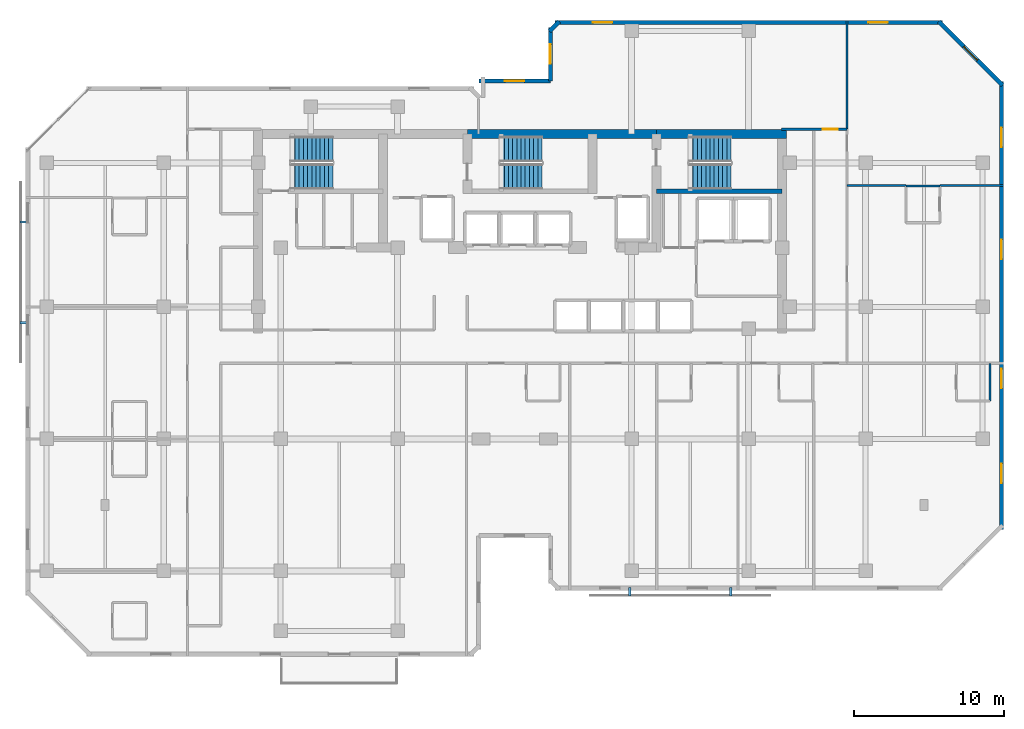
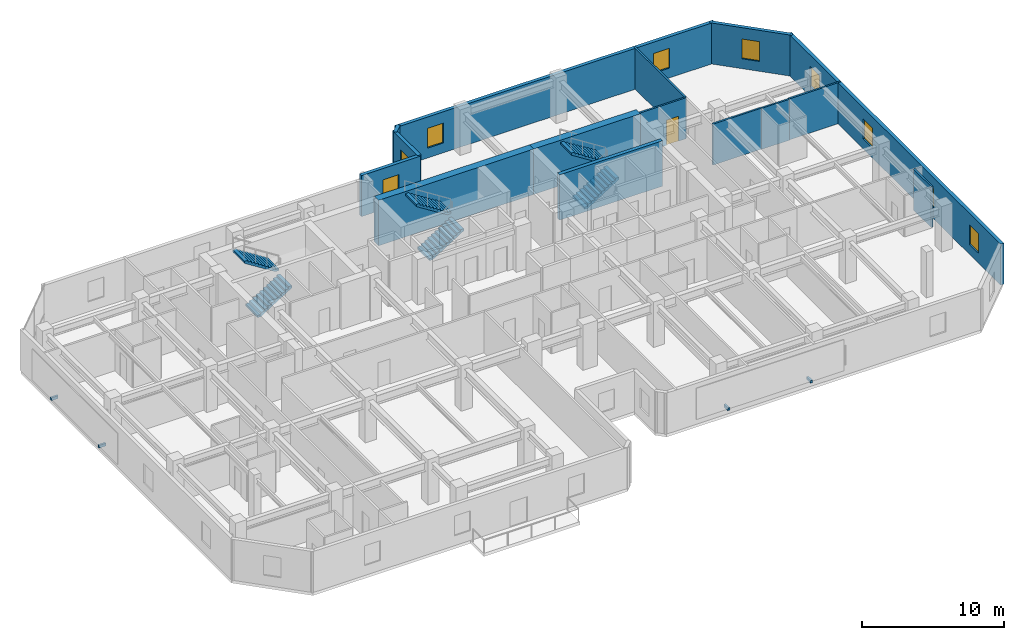
# One storey, part 8 of 10: 15 walls, 9 windows, 6 stair flights, 4 discrete accessories, 1 door, 10 openings, 3 elements without a shape of their own.
"""IFC4 building model written with IfcOpenShell, lengths in metres."""

from ifc_helpers import new_model, si_unit, direction, frame, frame_2d, origin, origin_2d, place, context, subcontext, project, spatial, polyline, rectangle, outline, extrude, material, layer, layer_set, type_object, element, fill, aggregate, save


model = new_model("IFC4")

# Units and contexts
model_context = context("Model", 3, precision=1e-05, world=origin(), true_north=direction((0.0, 1.0)))
body_context = subcontext(model_context, "Body", "Model", "MODEL_VIEW")
ifc_project = project(units=[si_unit("LENGTHUNIT", "METRE"), si_unit("AREAUNIT", "SQUARE_METRE"), si_unit("VOLUMEUNIT", "CUBIC_METRE"), si_unit("PLANEANGLEUNIT", "RADIAN"), si_unit("MASSUNIT", "GRAM", prefix="KILO")], contexts=[model_context])

# Site, building, storey
site_placement = place(None, origin())
site = spatial("IfcSite", under=ifc_project, at=site_placement, CompositionType="ELEMENT")
building_placement = place(site_placement, origin())
building = spatial("IfcBuilding", under=site, at=building_placement, Name="Kestravale Grand Hotel", CompositionType="ELEMENT")
storey_placement = place(building_placement, frame((0.0, 0.0, 236.5)))
storey = spatial("IfcBuildingStorey", under=building, at=storey_placement, Name="L59", CompositionType="ELEMENT", Elevation=236.5)

# Walls
ifc_material_1 = material(Name="Concrete f'c 50 MPa", Category="concrete")
ifc_layer_1 = layer(ifc_material_1, 0.60009765625)
ifc_layer_set_1 = layer_set([ifc_layer_1], Name="EW-CORE-600")
wall_type_1 = type_object("IfcWallType", Name="EW-CORE-600", PredefinedType="SHEAR", material=ifc_layer_set_1)
wall_1_placement = place(storey_placement, frame((35.85009765625, 40.320068359375, 0.0), z_axis=(0.0, 0.0, 1.0), x_axis=(1.0, 0.0, 0.0)))
element("IfcWall", 1, at=wall_1_placement, inside=storey, type_object=wall_type_1, Name="L59 core shear wall N2", PredefinedType="SHEAR", context=body_context, shape_type="SweptSolid", body=[
    extrude(rectangle(XDim=12.599853515625, YDim=0.60009765625, at=frame_2d((6.2998046875, 0.0))), origin(), (0.0, 0.0, 1.0), 3.89990234375),
])
wall_2_placement = place(storey_placement, frame((48.449951171875, 40.320068359375, 0.0), z_axis=(0.0, 0.0, 1.0), x_axis=(1.0, 0.0, 0.0)))
element("IfcWall", 2, at=wall_2_placement, inside=storey, type_object=wall_type_1, Name="L59 core shear wall N3", PredefinedType="SHEAR", context=body_context, shape_type="SweptSolid", body=[
    extrude(rectangle(XDim=8.670166015625, YDim=0.60009765625, at=frame_2d((4.3349609375, 0.0))), origin(), (0.0, 0.0, 1.0), 3.89990234375),
])

# Wall, openings, windows
ifc_material_2 = material(Name="Precast concrete f'c 45 MPa", Category="concrete")
ifc_layer_2 = layer(ifc_material_2, 0.280029296875)
ifc_layer_set_2 = layer_set([ifc_layer_2], Name="EW-PREC-280")
wall_type_2 = type_object("IfcWallType", Name="EW-PREC-280", PredefinedType="SOLIDWALL", material=ifc_layer_set_2)
wall_3_placement = place(storey_placement, frame((71.4599609375, 13.9599609375, 0.0), z_axis=(0.0, 0.0, 1.0), x_axis=(0.0, 1.0, 0.0)))
wall_3 = element("IfcWall", 3, at=wall_3_placement, inside=storey, type_object=wall_type_2, Name="L59 fluted precast facade wall 9", PredefinedType="SOLIDWALL", context=body_context, shape_type="SweptSolid", body=[
    extrude(rectangle(XDim=29.880126953125, YDim=0.280029296875, at=frame_2d((14.93994140625, 0.0))), origin(), (0.0, 0.0, 1.0), 3.52001953125),
])
opening_1_placement = place(wall_3_placement, frame((3.0849609375, 0.0, 0.85009765625)))
opening_1 = element("IfcOpeningElement", 4, at=opening_1_placement, cuts=wall_3, Name="Opening W-GUEST-1300", PredefinedType="OPENING", context=body_context, shape_type="SweptSolid", body=[
    extrude(rectangle(XDim=1.300048828125, YDim=1.699951171875, at=frame_2d((0.64990234375, 0.85009765625))), frame((0.0, 0.14990234375, 0.0), z_axis=(0.0, -1.0, 0.0), x_axis=(1.0, 0.0, 0.0)), (0.0, 0.0, 1.0), 0.300048828125),
])
opening_2_placement = place(wall_3_placement, frame((9.405029296875, 0.0, 0.85009765625)))
opening_2 = element("IfcOpeningElement", 5, at=opening_2_placement, cuts=wall_3, Name="Opening W-GUEST-1300", PredefinedType="OPENING", context=body_context, shape_type="SweptSolid", body=[
    extrude(rectangle(XDim=1.300048828125, YDim=1.699951171875, at=frame_2d((0.64990234375, 0.85009765625))), frame((0.0, 0.14990234375, 0.0), z_axis=(0.0, -1.0, 0.0), x_axis=(1.0, 0.0, 0.0)), (0.0, 0.0, 1.0), 0.300048828125),
])
opening_3_placement = place(wall_3_placement, frame((18.02490234375, 0.0, 0.85009765625)))
opening_3 = element("IfcOpeningElement", 6, at=opening_3_placement, cuts=wall_3, Name="Opening W-GUEST-1300", PredefinedType="OPENING", context=body_context, shape_type="SweptSolid", body=[
    extrude(rectangle(XDim=1.300048828125, YDim=1.699951171875, at=frame_2d((0.64990234375, 0.85009765625))), frame((0.0, 0.14990234375, 0.0), z_axis=(0.0, -1.0, 0.0), x_axis=(1.0, 0.0, 0.0)), (0.0, 0.0, 1.0), 0.300048828125),
])
opening_4_placement = place(wall_3_placement, frame((25.4951171875, 0.0, 0.85009765625)))
opening_4 = element("IfcOpeningElement", 7, at=opening_4_placement, cuts=wall_3, Name="Opening W-GUEST-1300", PredefinedType="OPENING", context=body_context, shape_type="SweptSolid", body=[
    extrude(rectangle(XDim=1.300048828125, YDim=1.699951171875, at=frame_2d((0.64990234375, 0.85009765625))), frame((0.0, 0.14990234375, 0.0), z_axis=(0.0, -1.0, 0.0), x_axis=(1.0, 0.0, 0.0)), (0.0, 0.0, 1.0), 0.300048828125),
])
ifc_material_3 = material(Name="Insulated low-E double glazing in aluminium frame", Category="aluminium")
window_type = type_object("IfcWindowType", Name="W-GUEST-1300", PartitioningType="SINGLE_PANEL", PredefinedType="WINDOW", material=ifc_material_3)
window_1_placement = place(opening_1_placement, origin())
window_1 = element("IfcWindow", 8, at=window_1_placement, inside=storey, type_object=window_type, Name="L59 exterior window 9.1", OverallHeight=1.699951171875, OverallWidth=1.300048828125, PartitioningType="SINGLE_PANEL", PredefinedType="WINDOW", context=body_context, shape_type="SweptSolid", body=[
    extrude(rectangle(XDim=1.300048828125, YDim=1.699951171875, at=frame_2d((0.64990234375, 0.85009765625))), frame((0.0, 0.030029296875, 0.0), z_axis=(0.0, -1.0, 0.0), x_axis=(1.0, 0.0, 0.0)), (0.0, 0.0, 1.0), 0.06005859375),
])
fill(opening_1, window_1)
window_2_placement = place(opening_2_placement, origin())
window_2 = element("IfcWindow", 9, at=window_2_placement, inside=storey, type_object=window_type, Name="L59 exterior window 9.2", OverallHeight=1.699951171875, OverallWidth=1.300048828125, PartitioningType="SINGLE_PANEL", PredefinedType="WINDOW", context=body_context, shape_type="SweptSolid", body=[
    extrude(rectangle(XDim=1.300048828125, YDim=1.699951171875, at=frame_2d((0.64990234375, 0.85009765625))), frame((0.0, 0.030029296875, 0.0), z_axis=(0.0, -1.0, 0.0), x_axis=(1.0, 0.0, 0.0)), (0.0, 0.0, 1.0), 0.06005859375),
])
fill(opening_2, window_2)
window_3_placement = place(opening_3_placement, origin())
window_3 = element("IfcWindow", 10, at=window_3_placement, inside=storey, type_object=window_type, Name="L59 exterior window 9.3", OverallHeight=1.699951171875, OverallWidth=1.300048828125, PartitioningType="SINGLE_PANEL", PredefinedType="WINDOW", context=body_context, shape_type="SweptSolid", body=[
    extrude(rectangle(XDim=1.300048828125, YDim=1.699951171875, at=frame_2d((0.64990234375, 0.85009765625))), frame((0.0, 0.030029296875, 0.0), z_axis=(0.0, -1.0, 0.0), x_axis=(1.0, 0.0, 0.0)), (0.0, 0.0, 1.0), 0.06005859375),
])
fill(opening_3, window_3)
window_4_placement = place(opening_4_placement, origin())
window_4 = element("IfcWindow", 11, at=window_4_placement, inside=storey, type_object=window_type, Name="L59 exterior window 9.4", OverallHeight=1.699951171875, OverallWidth=1.300048828125, PartitioningType="SINGLE_PANEL", PredefinedType="WINDOW", context=body_context, shape_type="SweptSolid", body=[
    extrude(rectangle(XDim=1.300048828125, YDim=1.699951171875, at=frame_2d((0.64990234375, 0.85009765625))), frame((0.0, 0.030029296875, 0.0), z_axis=(0.0, -1.0, 0.0), x_axis=(1.0, 0.0, 0.0)), (0.0, 0.0, 1.0), 0.06005859375),
])
fill(opening_4, window_4)

# Wall, opening, window
wall_4_placement = place(storey_placement, frame((71.529296875, 43.57275390625, 0.0), z_axis=(0.0, 0.0, 1.0), x_axis=(-0.707106781187, 0.707106781187, 0.0)))
wall_4 = element("IfcWall", 12, at=wall_4_placement, inside=storey, type_object=wall_type_2, Name="L59 fluted precast facade wall 10", PredefinedType="SOLIDWALL", context=body_context, shape_type="SweptSolid", body=[
    extrude(rectangle(XDim=6.019775390625, YDim=0.280029296875, at=frame_2d((3.009765625, 0.0))), origin(), (0.0, 0.0, 1.0), 3.52001953125),
])
opening_5_placement = place(wall_4_placement, frame((2.35986328125, 0.0, 0.85009765625)))
opening_5 = element("IfcOpeningElement", 13, at=opening_5_placement, cuts=wall_4, Name="Opening W-GUEST-1300", PredefinedType="OPENING", context=body_context, shape_type="SweptSolid", body=[
    extrude(rectangle(XDim=1.300048828125, YDim=1.699951171875, at=frame_2d((0.64990234375, 0.85009765625))), frame((0.0, 0.14990234375, 0.0), z_axis=(0.0, -1.0, 0.0), x_axis=(1.0, 0.0, 0.0)), (0.0, 0.0, 1.0), 0.300048828125),
])
window_5_placement = place(opening_5_placement, origin())
window_5 = element("IfcWindow", 14, at=window_5_placement, inside=storey, type_object=window_type, Name="L59 exterior window 10.1", OverallHeight=1.699951171875, OverallWidth=1.300048828125, PartitioningType="SINGLE_PANEL", PredefinedType="WINDOW", context=body_context, shape_type="SweptSolid", body=[
    extrude(rectangle(XDim=1.300048828125, YDim=1.699951171875, at=frame_2d((0.64990234375, 0.85009765625))), frame((0.0, 0.030029296875, 0.0), z_axis=(0.0, -1.0, 0.0), x_axis=(1.0, 0.0, 0.0)), (0.0, 0.0, 1.0), 0.06005859375),
])
fill(opening_5, window_5)

# Wall, openings, windows
wall_5_placement = place(storey_placement, frame((67.5400390625, 47.760009765625, 0.0), z_axis=(0.0, 0.0, 1.0), x_axis=(-1.0, 0.0, 0.0)))
wall_5 = element("IfcWall", 15, at=wall_5_placement, inside=storey, type_object=wall_type_2, Name="L59 fluted precast facade wall 11", PredefinedType="SOLIDWALL", context=body_context, shape_type="SweptSolid", body=[
    extrude(rectangle(XDim=25.830078125, YDim=0.280029296875, at=frame_2d((12.9150390625, 0.0))), origin(), (0.0, 0.0, 1.0), 3.52001953125),
])
opening_6_placement = place(wall_5_placement, frame((3.655029296875, 0.0, 0.85009765625)))
opening_6 = element("IfcOpeningElement", 16, at=opening_6_placement, cuts=wall_5, Name="Opening W-GUEST-1300", PredefinedType="OPENING", context=body_context, shape_type="SweptSolid", body=[
    extrude(rectangle(XDim=1.300048828125, YDim=1.699951171875, at=frame_2d((0.64990234375, 0.85009765625))), frame((0.0, 0.14990234375, 0.0), z_axis=(0.0, -1.0, 0.0), x_axis=(1.0, 0.0, 0.0)), (0.0, 0.0, 1.0), 0.300048828125),
])
opening_7_placement = place(wall_5_placement, frame((22.02490234375, 0.0, 0.85009765625)))
opening_7 = element("IfcOpeningElement", 17, at=opening_7_placement, cuts=wall_5, Name="Opening W-GUEST-1300", PredefinedType="OPENING", context=body_context, shape_type="SweptSolid", body=[
    extrude(rectangle(XDim=1.300048828125, YDim=1.699951171875, at=frame_2d((0.64990234375, 0.85009765625))), frame((0.0, 0.14990234375, 0.0), z_axis=(0.0, -1.0, 0.0), x_axis=(1.0, 0.0, 0.0)), (0.0, 0.0, 1.0), 0.300048828125),
])
window_6_placement = place(opening_6_placement, origin())
window_6 = element("IfcWindow", 18, at=window_6_placement, inside=storey, type_object=window_type, Name="L59 exterior window 11.1", OverallHeight=1.699951171875, OverallWidth=1.300048828125, PartitioningType="SINGLE_PANEL", PredefinedType="WINDOW", context=body_context, shape_type="SweptSolid", body=[
    extrude(rectangle(XDim=1.300048828125, YDim=1.699951171875, at=frame_2d((0.64990234375, 0.85009765625))), frame((0.0, 0.030029296875, 0.0), z_axis=(0.0, -1.0, 0.0), x_axis=(1.0, 0.0, 0.0)), (0.0, 0.0, 1.0), 0.06005859375),
])
fill(opening_6, window_6)
window_7_placement = place(opening_7_placement, origin())
window_7 = element("IfcWindow", 19, at=window_7_placement, inside=storey, type_object=window_type, Name="L59 exterior window 11.2", OverallHeight=1.699951171875, OverallWidth=1.300048828125, PartitioningType="SINGLE_PANEL", PredefinedType="WINDOW", context=body_context, shape_type="SweptSolid", body=[
    extrude(rectangle(XDim=1.300048828125, YDim=1.699951171875, at=frame_2d((0.64990234375, 0.85009765625))), frame((0.0, 0.030029296875, 0.0), z_axis=(0.0, -1.0, 0.0), x_axis=(1.0, 0.0, 0.0)), (0.0, 0.0, 1.0), 0.06005859375),
])
fill(opening_7, window_7)

# Wall
wall_6_placement = place(storey_placement, frame((41.977294921875, 47.829345703125, 0.0), z_axis=(0.0, 0.0, 1.0), x_axis=(-0.706975312048, -0.707238225886, 0.0)))
element("IfcWall", 20, at=wall_6_placement, inside=storey, type_object=wall_type_2, Name="L59 fluted precast facade wall 12", PredefinedType="SOLIDWALL", context=body_context, shape_type="SweptSolid", body=[
    extrude(rectangle(XDim=0.9287109375, YDim=0.280029296875, at=frame_2d((0.46435546875, 0.0))), origin(), (0.0, 0.0, 1.0), 3.52001953125),
])

# Wall, opening, window
wall_7_placement = place(storey_placement, frame((41.389892578125, 47.43994140625, 0.0), z_axis=(0.0, 0.0, 1.0), x_axis=(0.0, -1.0, 0.0)))
wall_7 = element("IfcWall", 21, at=wall_7_placement, inside=storey, type_object=wall_type_2, Name="L59 fluted precast facade wall 13", PredefinedType="SOLIDWALL", context=body_context, shape_type="SweptSolid", body=[
    extrude(rectangle(XDim=3.579833984375, YDim=0.280029296875, at=frame_2d((1.7900390625, 0.0))), origin(), (0.0, 0.0, 1.0), 3.52001953125),
])
opening_8_placement = place(wall_7_placement, frame((1.139892578125, 0.0, 0.85009765625)))
opening_8 = element("IfcOpeningElement", 22, at=opening_8_placement, cuts=wall_7, Name="Opening W-GUEST-1300", PredefinedType="OPENING", context=body_context, shape_type="SweptSolid", body=[
    extrude(rectangle(XDim=1.300048828125, YDim=1.699951171875, at=frame_2d((0.64990234375, 0.85009765625))), frame((0.0, 0.14990234375, 0.0), z_axis=(0.0, -1.0, 0.0), x_axis=(1.0, 0.0, 0.0)), (0.0, 0.0, 1.0), 0.300048828125),
])
window_8_placement = place(opening_8_placement, origin())
window_8 = element("IfcWindow", 23, at=window_8_placement, inside=storey, type_object=window_type, Name="L59 exterior window 13.1", OverallHeight=1.699951171875, OverallWidth=1.300048828125, PartitioningType="SINGLE_PANEL", PredefinedType="WINDOW", context=body_context, shape_type="SweptSolid", body=[
    extrude(rectangle(XDim=1.300048828125, YDim=1.699951171875, at=frame_2d((0.64990234375, 0.85009765625))), frame((0.0, 0.030029296875, 0.0), z_axis=(0.0, -1.0, 0.0), x_axis=(1.0, 0.0, 0.0)), (0.0, 0.0, 1.0), 0.06005859375),
])
fill(opening_8, window_8)

wall_8_placement = place(storey_placement, frame((41.389892578125, 43.860107421875, 0.0), z_axis=(0.0, 0.0, 1.0), x_axis=(-1.0, 0.0, 0.0)))
wall_8 = element("IfcWall", 24, at=wall_8_placement, inside=storey, type_object=wall_type_2, Name="L59 fluted precast facade wall 14", PredefinedType="SOLIDWALL", context=body_context, shape_type="SweptSolid", body=[
    extrude(rectangle(XDim=4.77978515625, YDim=0.280029296875, at=frame_2d((2.389892578125, 0.0))), origin(), (0.0, 0.0, 1.0), 3.52001953125),
])
opening_9_placement = place(wall_8_placement, frame((1.739990234375, 0.0, 0.85009765625)))
opening_9 = element("IfcOpeningElement", 25, at=opening_9_placement, cuts=wall_8, Name="Opening W-GUEST-1300", PredefinedType="OPENING", context=body_context, shape_type="SweptSolid", body=[
    extrude(rectangle(XDim=1.300048828125, YDim=1.699951171875, at=frame_2d((0.64990234375, 0.85009765625))), frame((0.0, 0.14990234375, 0.0), z_axis=(0.0, -1.0, 0.0), x_axis=(1.0, 0.0, 0.0)), (0.0, 0.0, 1.0), 0.300048828125),
])
window_9_placement = place(opening_9_placement, origin())
window_9 = element("IfcWindow", 26, at=window_9_placement, inside=storey, type_object=window_type, Name="L59 exterior window 14.1", OverallHeight=1.699951171875, OverallWidth=1.300048828125, PartitioningType="SINGLE_PANEL", PredefinedType="WINDOW", context=body_context, shape_type="SweptSolid", body=[
    extrude(rectangle(XDim=1.300048828125, YDim=1.699951171875, at=frame_2d((0.64990234375, 0.85009765625))), frame((0.0, 0.030029296875, 0.0), z_axis=(0.0, -1.0, 0.0), x_axis=(1.0, 0.0, 0.0)), (0.0, 0.0, 1.0), 0.06005859375),
])
fill(opening_9, window_9)

# Walls
ifc_material_4 = material(Name="Concrete f'c 45 MPa", Category="concrete")
ifc_layer_3 = layer(ifc_material_4, 0.300048828125)
ifc_layer_set_3 = layer_set([ifc_layer_3], Name="EW-STAIR-300")
wall_type_3 = type_object("IfcWallType", Name="EW-STAIR-300", PredefinedType="SHEAR", material=ifc_layer_set_3)
wall_9_placement = place(storey_placement, frame((48.449951171875, 36.52001953125, 0.0), z_axis=(0.0, 0.0, 1.0), x_axis=(1.0, 0.0, 0.0)))
element("IfcWall", 27, at=wall_9_placement, inside=storey, type_object=wall_type_3, Name="L59 stair enclosure shear wall SST3", PredefinedType="SHEAR", context=body_context, shape_type="SweptSolid", body=[
    extrude(rectangle(XDim=8.3701171875, YDim=0.300048828125, at=frame_2d((4.18505859375, 0.0))), origin(), (0.0, 0.0, 1.0), 3.89990234375),
])
ifc_material_5 = material(Name="Moisture-resistant tile-backer plumbing chase wall", Category="other")
ifc_layer_4 = layer(ifc_material_5, 0.139892578125)
ifc_layer_set_4 = layer_set([ifc_layer_4], Name="IW-PLB-140")
wall_type_4 = type_object("IfcWallType", Name="IW-PLB-140", PredefinedType="PLUMBINGWALL", material=ifc_layer_set_4)
wall_10_placement = place(storey_placement, frame((70.699951171875, 22.530029296875, 0.0), z_axis=(0.0, 0.0, 1.0), x_axis=(0.0, 1.0, 0.0)))
element("IfcWall", 28, at=wall_10_placement, inside=storey, type_object=wall_type_4, Name="W-L59-U08-BE", PredefinedType="PLUMBINGWALL", context=body_context, shape_type="SweptSolid", body=[
    extrude(rectangle(XDim=2.489990234375, YDim=0.139892578125, at=frame_2d((1.2451171875, 0.0))), origin(), (0.0, 0.0, 1.0), 3.52001953125),
])
wall_11_placement = place(storey_placement, frame((65.10009765625, 36.860107421875, 0.0), z_axis=(0.0, 0.0, 1.0), x_axis=(1.0, 0.0, 0.0)))
element("IfcWall", 29, at=wall_11_placement, inside=storey, type_object=wall_type_4, Name="W-L59-U09-BN", PredefinedType="PLUMBINGWALL", context=body_context, shape_type="SweptSolid", body=[
    extrude(rectangle(XDim=2.25, YDim=0.139892578125, at=frame_2d((1.125, 0.0))), origin(), (0.0, 0.0, 1.0), 3.52001953125),
])

# Wall, opening, door
ifc_material_6 = material(Name="Double-stud STC 52 acoustic demising partition", Category="other")
ifc_layer_5 = layer(ifc_material_6, 0.14990234375)
ifc_layer_set_5 = layer_set([ifc_layer_5], Name="IW-UNIT-150")
wall_type_5 = type_object("IfcWallType", Name="IW-UNIT-150", PredefinedType="PARTITIONING", material=ifc_layer_set_5)
wall_12_placement = place(storey_placement, frame((56.800048828125, 40.64990234375, 0.0), z_axis=(0.0, 0.0, 1.0), x_axis=(1.0, 0.0, 0.0)))
wall_12 = element("IfcWall", 30, at=wall_12_placement, inside=storey, type_object=wall_type_5, Name="W-L59-SE-N", PredefinedType="PARTITIONING", context=body_context, shape_type="SweptSolid", body=[
    extrude(rectangle(XDim=4.35986328125, YDim=0.14990234375, at=frame_2d((2.179931640625, 0.0))), origin(), (0.0, 0.0, 1.0), 3.52001953125),
])
opening_10_placement = place(wall_12_placement, frame((2.75, 0.0, 0.0)))
opening_10 = element("IfcOpeningElement", 31, at=opening_10_placement, cuts=wall_12, Name="Opening D-GUEST-1000", PredefinedType="OPENING", context=body_context, shape_type="SweptSolid", body=[
    extrude(rectangle(XDim=1.0, YDim=2.14990234375, at=frame_2d((0.5, 1.074951171875))), frame((0.0, 0.0849609375, 0.0), z_axis=(0.0, -1.0, 0.0), x_axis=(1.0, 0.0, 0.0)), (0.0, 0.0, 1.0), 0.169921875),
])
ifc_material_7 = material(Name="Accessible walnut veneer hotel entrance fire door", Category="wood")
door_type = type_object("IfcDoorType", Name="D-GUEST-1000", OperationType="NOTDEFINED", PredefinedType="DOOR", material=ifc_material_7)
door_placement = place(opening_10_placement, origin())
door = element("IfcDoor", 32, at=door_placement, inside=storey, type_object=door_type, Name="L59 NE Gallery Door", OperationType="SINGLE_SWING_LEFT", OverallHeight=2.14990234375, OverallWidth=1.0, PredefinedType="DOOR", context=body_context, shape_type="SweptSolid", body=[
    extrude(rectangle(XDim=1.0, YDim=2.14990234375, at=frame_2d((0.5, 1.074951171875))), frame((0.0, 0.02490234375, 0.0), z_axis=(0.0, -1.0, 0.0), x_axis=(1.0, 0.0, 0.0)), (0.0, 0.0, 1.0), 0.050048828125),
])
fill(opening_10, door)

# Walls
wall_13_placement = place(storey_placement, frame((61.159912109375, 40.64990234375, 0.0), z_axis=(0.0, 0.0, 1.0), x_axis=(0.0, 1.0, 0.0)))
element("IfcWall", 33, at=wall_13_placement, inside=storey, type_object=wall_type_5, Name="W-L59-NGE-E", PredefinedType="PARTITIONING", context=body_context, shape_type="SweptSolid", body=[
    extrude(rectangle(XDim=7.22998046875, YDim=0.14990234375, at=frame_2d((3.614990234375, 0.0))), origin(), (0.0, 0.0, 1.0), 3.52001953125),
])
wall_14_placement = place(storey_placement, frame((61.159912109375, 36.89990234375, 0.0), z_axis=(0.0, 0.0, 1.0), x_axis=(1.0, 0.0, 0.0)))
element("IfcWall", 34, at=wall_14_placement, inside=storey, type_object=wall_type_5, Name="W-L59-EW-1", PredefinedType="PARTITIONING", context=body_context, shape_type="SweptSolid", body=[
    extrude(rectangle(XDim=3.940185546875, YDim=0.14990234375, at=frame_2d((1.97021484375, 0.0))), origin(), (0.0, 0.0, 1.0), 3.52001953125),
])
wall_15_placement = place(storey_placement, frame((67.35009765625, 36.89990234375, 0.0), z_axis=(0.0, 0.0, 1.0), x_axis=(1.0, 0.0, 0.0)))
element("IfcWall", 35, at=wall_15_placement, inside=storey, type_object=wall_type_5, Name="W-L59-EW-1", PredefinedType="PARTITIONING", context=body_context, shape_type="SweptSolid", body=[
    extrude(rectangle(XDim=4.22998046875, YDim=0.14990234375, at=frame_2d((2.114990234375, 0.0))), origin(), (0.0, 0.0, 1.0), 3.52001953125),
])

# Stair, stair flights
ifc_material_8 = material(Name="Concrete f'c 45 MPa", Category="concrete")
stair_type = type_object("IfcStairType", Name="ST-CORE-390", PredefinedType="HALF_TURN_STAIR", material=ifc_material_8)
stair_1_placement = place(storey_placement, origin())
stair_1 = element("IfcStair", 36, at=stair_1_placement, inside=storey, type_object=stair_type, Name="L59 ST-1", PredefinedType="HALF_TURN_STAIR")
ifc_material_9 = material(Name="Concrete f'c 45 MPa", Category="concrete")
stair_flight_type = type_object("IfcStairFlightType", Name="STF-CORE-390", PredefinedType="STRAIGHT", material=ifc_material_9)
stair_flight_1_placement = place(storey_placement, frame((24.080078125, 37.489990234375, 0.0), z_axis=(0.0, 0.0, 1.0), x_axis=(1.0, 0.0, 0.0)))
stair_flight_1 = element("IfcStairFlight", 37, at=stair_flight_1_placement, type_object=stair_flight_type, Name="ST-1 flight 1", NumberOfRisers=11, NumberOfTreads=10, PredefinedType="STRAIGHT", RiserHeight=0.177272727, TreadLength=0.28, context=body_context, shape_type="SweptSolid", body=[
    extrude(outline(polyline([(0.0, 0.0), (0.0, 0.17724609375), (0.280029296875, 0.17724609375), (0.280029296875, 0.3544921875), (0.56005859375, 0.3544921875), (0.56005859375, 0.53173828125), (0.840087890625, 0.53173828125), (0.840087890625, 0.708984375), (1.1201171875, 0.708984375), (1.1201171875, 0.886474609375), (1.39990234375, 0.886474609375), (1.39990234375, 1.063720703125), (1.679931640625, 1.063720703125), (1.679931640625, 1.240966796875), (1.9599609375, 1.240966796875), (1.9599609375, 1.418212890625), (2.239990234375, 1.418212890625), (2.239990234375, 1.595458984375), (2.52001953125, 1.595458984375), (2.52001953125, 1.772705078125), (2.800048828125, 1.772705078125), (2.800048828125, 1.949951171875), (2.800048828125, 1.59521484375), (0.2802734375, 0.0), (0.0, 0.0)])), frame((0.0, 0.83984375, 0.0), z_axis=(0.0, -1.0, 0.0), x_axis=(1.0, 0.0, 0.0)), (0.0, 0.0, 1.0), 1.679931640625),
])
stair_flight_2_placement = place(storey_placement, frame((26.8798828125, 39.320068359375, 1.949951171875), z_axis=(0.0, 0.0, 1.0), x_axis=(-1.0, 0.0, 0.0)))
stair_flight_2 = element("IfcStairFlight", 38, at=stair_flight_2_placement, type_object=stair_flight_type, Name="ST-1 flight 2", NumberOfRisers=11, NumberOfTreads=10, PredefinedType="STRAIGHT", RiserHeight=0.177272727, TreadLength=0.28, context=body_context, shape_type="SweptSolid", body=[
    extrude(outline(polyline([(0.0, 0.0), (0.0, 0.17724609375), (0.280029296875, 0.17724609375), (0.280029296875, 0.3544921875), (0.56005859375, 0.3544921875), (0.56005859375, 0.53173828125), (0.840087890625, 0.53173828125), (0.840087890625, 0.708984375), (1.1201171875, 0.708984375), (1.1201171875, 0.886474609375), (1.39990234375, 0.886474609375), (1.39990234375, 1.063720703125), (1.679931640625, 1.063720703125), (1.679931640625, 1.240966796875), (1.9599609375, 1.240966796875), (1.9599609375, 1.418212890625), (2.239990234375, 1.418212890625), (2.239990234375, 1.595458984375), (2.52001953125, 1.595458984375), (2.52001953125, 1.772705078125), (2.800048828125, 1.772705078125), (2.800048828125, 1.949951171875), (2.800048828125, 1.59521484375), (0.2802734375, 0.0), (0.0, 0.0)])), frame((0.0, 0.83984375, 0.0), z_axis=(0.0, -1.0, 0.0), x_axis=(1.0, 0.0, 0.0)), (0.0, 0.0, 1.0), 1.679931640625),
])
aggregate(stair_1, [stair_flight_1, stair_flight_2])

stair_2_placement = place(storey_placement, origin())
stair_2 = element("IfcStair", 39, at=stair_2_placement, inside=storey, type_object=stair_type, Name="L59 ST-2", PredefinedType="HALF_TURN_STAIR")
stair_flight_3_placement = place(storey_placement, frame((38.030029296875, 37.489990234375, 0.0), z_axis=(0.0, 0.0, 1.0), x_axis=(1.0, 0.0, 0.0)))
stair_flight_3 = element("IfcStairFlight", 40, at=stair_flight_3_placement, type_object=stair_flight_type, Name="ST-2 flight 1", NumberOfRisers=11, NumberOfTreads=10, PredefinedType="STRAIGHT", RiserHeight=0.177272727, TreadLength=0.28, context=body_context, shape_type="SweptSolid", body=[
    extrude(outline(polyline([(0.0, 0.0), (0.0, 0.17724609375), (0.280029296875, 0.17724609375), (0.280029296875, 0.3544921875), (0.56005859375, 0.3544921875), (0.56005859375, 0.53173828125), (0.840087890625, 0.53173828125), (0.840087890625, 0.708984375), (1.1201171875, 0.708984375), (1.1201171875, 0.886474609375), (1.39990234375, 0.886474609375), (1.39990234375, 1.063720703125), (1.679931640625, 1.063720703125), (1.679931640625, 1.240966796875), (1.9599609375, 1.240966796875), (1.9599609375, 1.418212890625), (2.239990234375, 1.418212890625), (2.239990234375, 1.595458984375), (2.52001953125, 1.595458984375), (2.52001953125, 1.772705078125), (2.800048828125, 1.772705078125), (2.800048828125, 1.949951171875), (2.800048828125, 1.59521484375), (0.2802734375, 0.0), (0.0, 0.0)])), frame((0.0, 0.83984375, 0.0), z_axis=(0.0, -1.0, 0.0), x_axis=(1.0, 0.0, 0.0)), (0.0, 0.0, 1.0), 1.679931640625),
])
stair_flight_4_placement = place(storey_placement, frame((40.830078125, 39.320068359375, 1.949951171875), z_axis=(0.0, 0.0, 1.0), x_axis=(-1.0, 0.0, 0.0)))
stair_flight_4 = element("IfcStairFlight", 41, at=stair_flight_4_placement, type_object=stair_flight_type, Name="ST-2 flight 2", NumberOfRisers=11, NumberOfTreads=10, PredefinedType="STRAIGHT", RiserHeight=0.177272727, TreadLength=0.28, context=body_context, shape_type="SweptSolid", body=[
    extrude(outline(polyline([(0.0, 0.0), (0.0, 0.17724609375), (0.280029296875, 0.17724609375), (0.280029296875, 0.3544921875), (0.56005859375, 0.3544921875), (0.56005859375, 0.53173828125), (0.840087890625, 0.53173828125), (0.840087890625, 0.708984375), (1.1201171875, 0.708984375), (1.1201171875, 0.886474609375), (1.39990234375, 0.886474609375), (1.39990234375, 1.063720703125), (1.679931640625, 1.063720703125), (1.679931640625, 1.240966796875), (1.9599609375, 1.240966796875), (1.9599609375, 1.418212890625), (2.239990234375, 1.418212890625), (2.239990234375, 1.595458984375), (2.52001953125, 1.595458984375), (2.52001953125, 1.772705078125), (2.800048828125, 1.772705078125), (2.800048828125, 1.949951171875), (2.800048828125, 1.59521484375), (0.2802734375, 0.0), (0.0, 0.0)])), frame((0.0, 0.83984375, 0.0), z_axis=(0.0, -1.0, 0.0), x_axis=(1.0, 0.0, 0.0)), (0.0, 0.0, 1.0), 1.679931640625),
])
aggregate(stair_2, [stair_flight_3, stair_flight_4])

stair_3_placement = place(storey_placement, origin())
stair_3 = element("IfcStair", 42, at=stair_3_placement, inside=storey, type_object=stair_type, Name="L59 ST-3", PredefinedType="HALF_TURN_STAIR")
stair_flight_5_placement = place(storey_placement, frame((50.6298828125, 37.489990234375, 0.0), z_axis=(0.0, 0.0, 1.0), x_axis=(1.0, 0.0, 0.0)))
stair_flight_5 = element("IfcStairFlight", 43, at=stair_flight_5_placement, type_object=stair_flight_type, Name="ST-3 flight 1", NumberOfRisers=11, NumberOfTreads=10, PredefinedType="STRAIGHT", RiserHeight=0.177272727, TreadLength=0.28, context=body_context, shape_type="SweptSolid", body=[
    extrude(outline(polyline([(0.0, 0.0), (0.0, 0.17724609375), (0.280029296875, 0.17724609375), (0.280029296875, 0.3544921875), (0.56005859375, 0.3544921875), (0.56005859375, 0.53173828125), (0.840087890625, 0.53173828125), (0.840087890625, 0.708984375), (1.1201171875, 0.708984375), (1.1201171875, 0.886474609375), (1.39990234375, 0.886474609375), (1.39990234375, 1.063720703125), (1.679931640625, 1.063720703125), (1.679931640625, 1.240966796875), (1.9599609375, 1.240966796875), (1.9599609375, 1.418212890625), (2.239990234375, 1.418212890625), (2.239990234375, 1.595458984375), (2.52001953125, 1.595458984375), (2.52001953125, 1.772705078125), (2.800048828125, 1.772705078125), (2.800048828125, 1.949951171875), (2.800048828125, 1.59521484375), (0.2802734375, 0.0), (0.0, 0.0)])), frame((0.0, 0.83984375, 0.0), z_axis=(0.0, -1.0, 0.0), x_axis=(1.0, 0.0, 0.0)), (0.0, 0.0, 1.0), 1.679931640625),
])
stair_flight_6_placement = place(storey_placement, frame((53.429931640625, 39.320068359375, 1.949951171875), z_axis=(0.0, 0.0, 1.0), x_axis=(-1.0, 0.0, 0.0)))
stair_flight_6 = element("IfcStairFlight", 44, at=stair_flight_6_placement, type_object=stair_flight_type, Name="ST-3 flight 2", NumberOfRisers=11, NumberOfTreads=10, PredefinedType="STRAIGHT", RiserHeight=0.177272727, TreadLength=0.28, context=body_context, shape_type="SweptSolid", body=[
    extrude(outline(polyline([(0.0, 0.0), (0.0, 0.17724609375), (0.280029296875, 0.17724609375), (0.280029296875, 0.3544921875), (0.56005859375, 0.3544921875), (0.56005859375, 0.53173828125), (0.840087890625, 0.53173828125), (0.840087890625, 0.708984375), (1.1201171875, 0.708984375), (1.1201171875, 0.886474609375), (1.39990234375, 0.886474609375), (1.39990234375, 1.063720703125), (1.679931640625, 1.063720703125), (1.679931640625, 1.240966796875), (1.9599609375, 1.240966796875), (1.9599609375, 1.418212890625), (2.239990234375, 1.418212890625), (2.239990234375, 1.595458984375), (2.52001953125, 1.595458984375), (2.52001953125, 1.772705078125), (2.800048828125, 1.772705078125), (2.800048828125, 1.949951171875), (2.800048828125, 1.59521484375), (0.2802734375, 0.0), (0.0, 0.0)])), frame((0.0, 0.83984375, 0.0), z_axis=(0.0, -1.0, 0.0), x_axis=(1.0, 0.0, 0.0)), (0.0, 0.0, 1.0), 1.679931640625),
])
aggregate(stair_3, [stair_flight_5, stair_flight_6])

# Discrete accessories
ifc_material_10 = material(Name="Steel ASTM A572 Grade 50 hot-dip galvanised bracket", Category="steel")
discrete_accessory_type = type_object("IfcDiscreteAccessoryType", Name="ACC-BRK-STL", PredefinedType="BRACKET", material=ifc_material_10)
for number, where, z_axis, x_axis, name in (
    (45, (46.68994140625, 9.804931640625, 0.56005859375), (0.0, 0.0, 1.0), (1.0, 0.0, 0.0), "L59 solar screen standoff bracket 1"),
    (46, (53.409912109375, 9.804931640625, 0.56005859375), (0.0, 0.0, 1.0), (1.0, 0.0, 0.0), "L59 solar screen standoff bracket 2"),
    (47, (6.304931640625, 34.4599609375, 0.56005859375), (0.0, 0.0, 1.0), (0.0, -1.0, 0.0), "L59 solar screen standoff bracket 1"),
    (48, (6.304931640625, 27.739990234375, 0.56005859375), (0.0, 0.0, 1.0), (0.0, -1.0, 0.0), "L59 solar screen standoff bracket 2"),
):
    element("IfcDiscreteAccessory", number, at=place(storey_placement, frame(where, z_axis=z_axis, x_axis=x_axis)), inside=storey, type_object=discrete_accessory_type, Name=name, PredefinedType="BRACKET", context=body_context, shape_type="SweptSolid", body=[
        extrude(rectangle(XDim=0.159912109375, YDim=0.56005859375, at=origin_2d()), origin(), (0.0, 0.0, 1.0), 0.239990234375),
    ])

save(model, "model.ifc")
